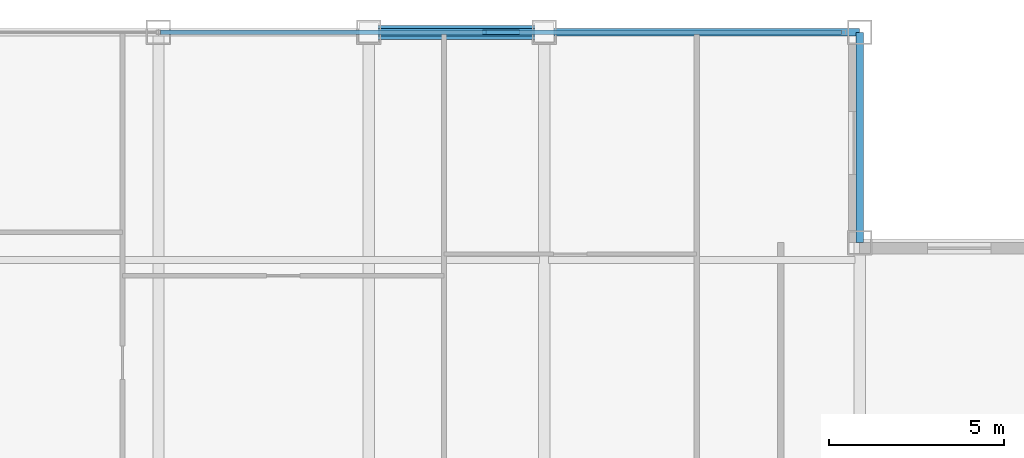
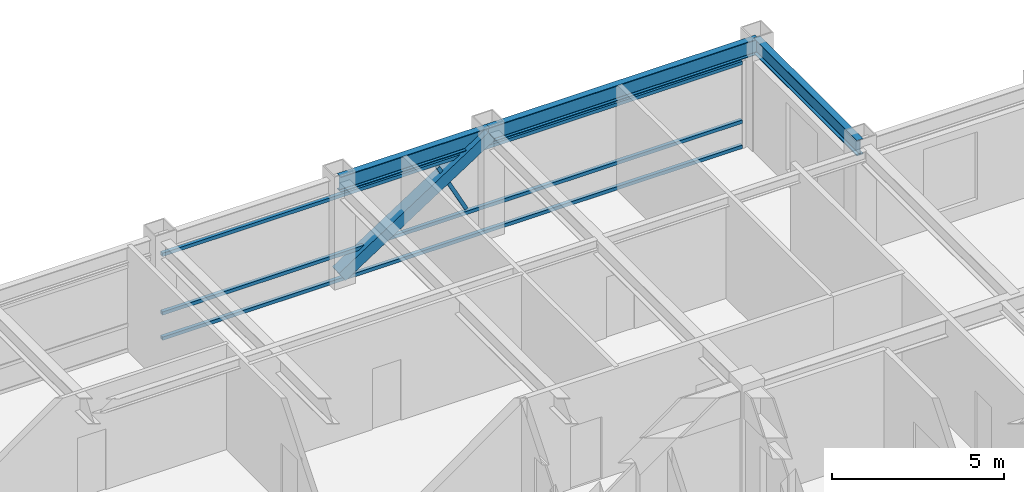
# One storey, part 21 of 29: 5 members, 3 beams, 1 element without a shape of its own.
"""IFC4 building model written with IfcOpenShell, lengths in metres."""

from ifc_helpers import new_model, si_unit, direction, frame, origin, origin_2d, place, context, subcontext, project, spatial, hollow_rectangle, i_section, extrude, source, transform, mapped, material, material_profile, profile_set, type_object, element, aggregate, save


model = new_model("IFC4")

# Units and contexts
model_context = context("Model", 3, precision=1e-05, world=origin(), true_north=direction((0.0, 1.0)))
body_context = subcontext(model_context, "Body", "Model", "MODEL_VIEW")
ifc_project = project(units=[si_unit("LENGTHUNIT", "METRE"), si_unit("AREAUNIT", "SQUARE_METRE"), si_unit("VOLUMEUNIT", "CUBIC_METRE"), si_unit("PLANEANGLEUNIT", "RADIAN"), si_unit("MASSUNIT", "GRAM", prefix="KILO")], contexts=[model_context])

# Site, building, storey
site_placement = place(None, origin())
site = spatial("IfcSite", under=ifc_project, at=site_placement, CompositionType="ELEMENT")
building_placement = place(site_placement, origin())
building = spatial("IfcBuilding", under=site, at=building_placement, Name="Khorayat Bourse Tower", CompositionType="ELEMENT")
storey_placement = place(building_placement, frame((0.0, 0.0, 358.300048828125)))
storey = spatial("IfcBuildingStorey", under=building, at=storey_placement, Name="L85", CompositionType="ELEMENT", Elevation=358.300048828125)

# Beams
ifc_material_1 = material(Name="Steel ASTM A992 Grade 50", Category="steel")
ifc_material_profile_1 = material_profile(ifc_material_1, i_section(OverallWidth=0.214111328125, OverallDepth=0.549072265625, WebThickness=0.0146484375, FlangeThickness=0.023681640625, FilletRadius=0.013916015625, at=origin_2d()), Name="W530X138")
ifc_profile_set_1 = profile_set([ifc_material_profile_1], Name="Steel ASTM A992 Grade 50")
beam_type = type_object("IfcBeamType", Name="BM-SPAN-530", PredefinedType="SPANDREL", material=ifc_profile_set_1)
shared_shape_1 = source(origin(), body_context, "Body", "SweptSolid", [
    extrude(i_section(OverallWidth=0.214111328125, OverallDepth=0.549072265625, WebThickness=0.0146484375, FlangeThickness=0.023681640625, FilletRadius=0.013916015625, at=origin_2d()), origin(), (0.0, 0.0, 1.0), 9.0),
])
beam_1_placement = place(storey_placement, frame((11.0, 26.0, 3.46533203125), z_axis=(1.0, 0.0, 0.0), x_axis=(0.0, 1.0, 0.0)))
element("IfcBeam", 1, at=beam_1_placement, inside=storey, type_object=beam_type, Name="L85 BM-SPAN-530 BM-L85-SPN-040", PredefinedType="SPANDREL", context=body_context, shape_type="MappedRepresentation", body=[
    mapped(shared_shape_1, transform((0.0, 0.0, 0.0), scale=1.0)),
])
shared_shape_2 = source(origin(), body_context, "Body", "SweptSolid", [
    extrude(i_section(OverallWidth=0.214111328125, OverallDepth=0.549072265625, WebThickness=0.0146484375, FlangeThickness=0.023681640625, FilletRadius=0.013916015625, at=origin_2d()), origin(), (0.0, 0.0, 1.0), 5.0),
])
beam_2_placement = place(storey_placement, frame((6.0, 26.0, 3.46533203125), z_axis=(1.0, 0.0, 0.0), x_axis=(0.0, 1.0, 0.0)))
element("IfcBeam", 2, at=beam_2_placement, inside=storey, type_object=beam_type, Name="L85 BM-SPAN-530 BM-L85-SPN-041", PredefinedType="SPANDREL", context=body_context, shape_type="MappedRepresentation", body=[
    mapped(shared_shape_2, transform((0.0, 0.0, 0.0), scale=1.0)),
])
shared_shape_3 = source(origin(), body_context, "Body", "SweptSolid", [
    extrude(i_section(OverallWidth=0.214111328125, OverallDepth=0.549072265625, WebThickness=0.0146484375, FlangeThickness=0.023681640625, FilletRadius=0.013916015625, at=origin_2d()), origin(), (0.0, 0.0, 1.0), 6.0),
])
beam_3_placement = place(storey_placement, frame((20.0, 20.0, 3.46533203125), z_axis=(0.0, 1.0, 0.0), x_axis=(-1.0, 0.0, 0.0)))
element("IfcBeam", 3, at=beam_3_placement, inside=storey, type_object=beam_type, Name="L85 BM-SPAN-530 BM-L85-SPN-039", PredefinedType="SPANDREL", context=body_context, shape_type="MappedRepresentation", body=[
    mapped(shared_shape_3, transform((0.0, 0.0, 0.0), scale=1.0)),
])

# Member
ifc_material_2 = material(Name="Steel EN 10025-4 S460M", Category="steel")
ifc_material_profile_2 = material_profile(ifc_material_2, hollow_rectangle(XDim=0.39990234375, YDim=0.39990234375, WallThickness=0.02197265625, at=origin_2d()), Name="HSS 400x400x22")
ifc_profile_set_2 = profile_set([ifc_material_profile_2], Name="Steel EN 10025-4 S460M")
member_type_1 = type_object("IfcMemberType", Name="MBR-TUBE-400", PredefinedType="BRACE", material=ifc_profile_set_2)
shared_shape_4 = source(origin(), body_context, "Body", "SweptSolid", [
    extrude(hollow_rectangle(XDim=0.39990234375, YDim=0.39990234375, WallThickness=0.02197265625, at=origin_2d()), origin(), (0.0, 0.0, 1.0), 5.9580078125),
])
member_1_placement = place(storey_placement, frame((6.0, 26.0, 0.25), z_axis=(0.839210474455, 0.0, 0.543806748364), x_axis=(0.0, 1.0, 0.0)))
element("IfcMember", 4, at=member_1_placement, inside=storey, type_object=member_type_1, Name="L85 Perimeter Tube Brace 04", PredefinedType="BRACE", context=body_context, shape_type="MappedRepresentation", body=[
    mapped(shared_shape_4, transform((0.0, 0.0, 0.0), scale=1.0)),
])

# Curtain wall, members
ifc_material_3 = material(Name="Aluminium EN AW-6063 T6", Category="aluminium")
curtain_wall_type = type_object("IfcCurtainWallType", Name="CW-SYS-04", PredefinedType="NOTDEFINED", material=ifc_material_3)
curtain_wall_placement = place(storey_placement, origin())
curtain_wall = element("IfcCurtainWall", 5, at=curtain_wall_placement, inside=storey, type_object=curtain_wall_type, Name="L85 Curtain Wall CW-L85-N1", PredefinedType="NOTDEFINED")
ifc_material_profile_3 = material_profile(ifc_material_3, hollow_rectangle(XDim=0.1201171875, YDim=0.1201171875, WallThickness=0.0048828125, at=origin_2d()), Name="ALU 120x120x5")
ifc_profile_set_3 = profile_set([ifc_material_profile_3], Name="Aluminium EN AW-6063 T6")
member_type_2 = type_object("IfcMemberType", Name="CWM-DIAG-120", PredefinedType="MULLION", material=ifc_profile_set_3)
shared_shape_5 = source(origin(), body_context, "Body", "SweptSolid", [
    extrude(hollow_rectangle(XDim=0.1201171875, YDim=0.1201171875, WallThickness=0.0048828125, at=origin_2d()), origin(), (0.0, 0.0, 1.0), 2.0341796875),
])
member_2_placement = place(storey_placement, frame((10.24365234375, 26.0, 1.08984375), z_axis=(-0.465696964104, 0.0, 0.884944256789), x_axis=(0.0, -1.0, 0.0)))
member_2 = element("IfcMember", 6, at=member_2_placement, type_object=member_type_2, Name="CW-L85-N1 Faceted Diagonal Mullion 2", PredefinedType="MULLION", context=body_context, shape_type="MappedRepresentation", body=[
    mapped(shared_shape_5, transform((0.0, 0.0, 0.0), scale=1.0)),
])
ifc_material_profile_4 = material_profile(ifc_material_3, hollow_rectangle(XDim=0.1201171875, YDim=0.1201171875, WallThickness=0.0048828125, at=origin_2d()), Name="ALU 120x120x5")
ifc_profile_set_4 = profile_set([ifc_material_profile_4], Name="Aluminium EN AW-6063 T6")
member_type_3 = type_object("IfcMemberType", Name="CWT-HORZ-120", PredefinedType="USERDEFINED", material=ifc_profile_set_4)
shared_shape_6 = source(origin(), body_context, "Body", "SweptSolid", [
    extrude(hollow_rectangle(XDim=0.1201171875, YDim=0.1201171875, WallThickness=0.0048828125, at=origin_2d()), origin(), (0.0, 0.0, 1.0), 19.419921875),
])
member_3_placement = place(storey_placement, frame((0.06005859375, 26.0, 0.06005859375), z_axis=(1.0, 0.0, 0.0), x_axis=(0.0, 1.0, 0.0)))
member_3 = element("IfcMember", 7, at=member_3_placement, type_object=member_type_3, Name="CW-L85-N1 Horizontal Transom 2-1", ObjectType="TRANSOM", PredefinedType="USERDEFINED", context=body_context, shape_type="MappedRepresentation", body=[
    mapped(shared_shape_6, transform((0.0, 0.0, 0.0), scale=1.0)),
])
member_4_placement = place(storey_placement, frame((0.06005859375, 26.0, 0.949951171875), z_axis=(1.0, 0.0, 0.0), x_axis=(0.0, 1.0, 0.0)))
member_4 = element("IfcMember", 8, at=member_4_placement, type_object=member_type_3, Name="CW-L85-N1 Horizontal Transom 2-2", ObjectType="TRANSOM", PredefinedType="USERDEFINED", context=body_context, shape_type="MappedRepresentation", body=[
    mapped(shared_shape_6, transform((0.0, 0.0, 0.0), scale=1.0)),
])
member_5_placement = place(storey_placement, frame((0.06005859375, 26.0, 3.030029296875), z_axis=(1.0, 0.0, 0.0), x_axis=(0.0, 1.0, 0.0)))
member_5 = element("IfcMember", 9, at=member_5_placement, type_object=member_type_3, Name="CW-L85-N1 Horizontal Transom 2-3", ObjectType="TRANSOM", PredefinedType="USERDEFINED", context=body_context, shape_type="MappedRepresentation", body=[
    mapped(shared_shape_6, transform((0.0, 0.0, 0.0), scale=1.0)),
])
aggregate(curtain_wall, [member_3, member_4, member_5, member_2])

save(model, "model.ifc")
